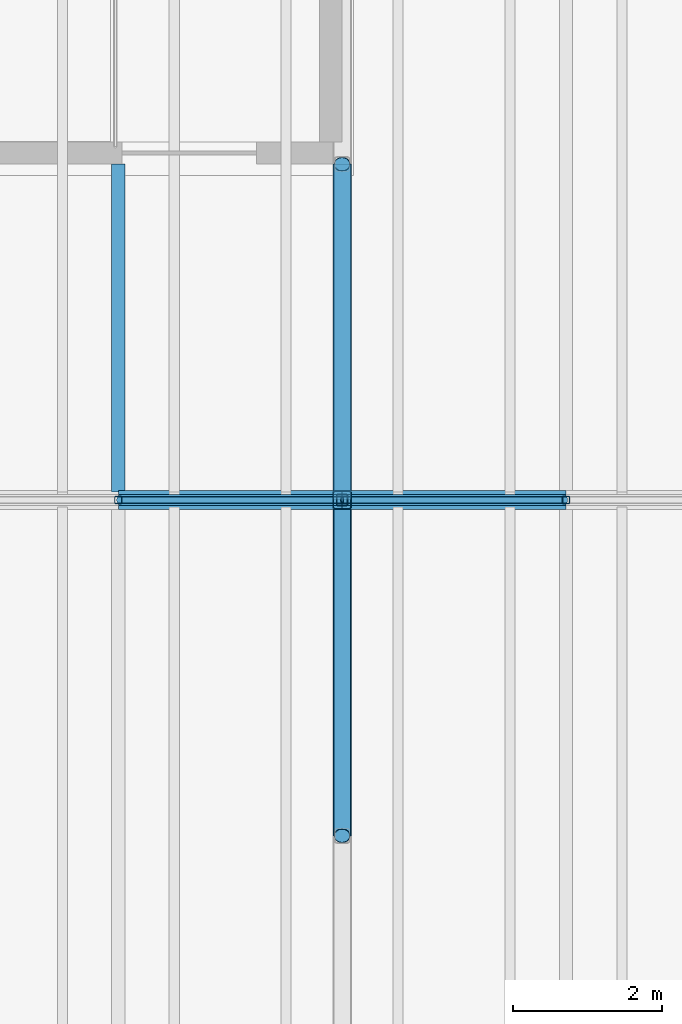
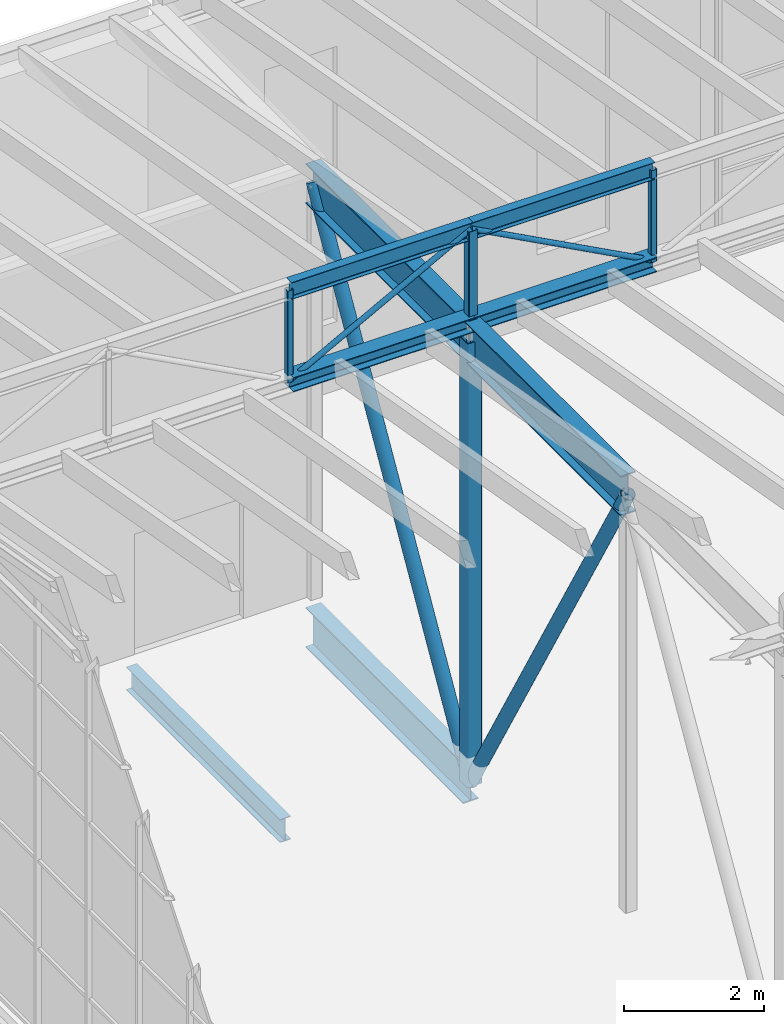
# One storey, part 41 of 90: 15 members, 1 beam.
"""IFC4 building model written with IfcOpenShell, lengths in metres."""

from ifc_helpers import new_model, si_unit, direction, frame, origin, origin_2d, place, context, subcontext, project, spatial, hollow_rectangle, hollow_circle, i_section, extrude, material, material_profile, profile_set, type_object, element, save


model = new_model("IFC4")

# Units and contexts
model_context = context("Model", 3, precision=1e-05, world=origin(), true_north=direction((0.0, 1.0)))
body_context = subcontext(model_context, "Body", "Model", "MODEL_VIEW")
ifc_project = project(units=[si_unit("LENGTHUNIT", "METRE"), si_unit("AREAUNIT", "SQUARE_METRE"), si_unit("VOLUMEUNIT", "CUBIC_METRE"), si_unit("PLANEANGLEUNIT", "RADIAN"), si_unit("MASSUNIT", "GRAM", prefix="KILO")], contexts=[model_context])

# Site, building, storey
site_placement = place(None, origin())
site = spatial("IfcSite", under=ifc_project, at=site_placement, CompositionType="ELEMENT")
building_placement = place(site_placement, origin())
building = spatial("IfcBuilding", under=site, at=building_placement, Name="Halyard Row Museum", CompositionType="ELEMENT")
storey_placement = place(building_placement, frame((0.0, 0.0, 13.39990234375)))
storey = spatial("IfcBuildingStorey", under=building, at=storey_placement, Name="L03", CompositionType="ELEMENT", Elevation=13.39990234375)

# Beam
ifc_material_1 = material(Name="Steel Grade 300", Category="steel")
ifc_material_profile_1 = material_profile(ifc_material_1, i_section(OverallWidth=0.177978515625, OverallDepth=0.406494140625, WebThickness=0.0078125, FlangeThickness=0.0126953125, FilletRadius=0.011474609375, at=origin_2d()), Name="410UB59.7")
ifc_profile_set_1 = profile_set([ifc_material_profile_1], Name="Steel Grade 300")
beam_type = type_object("IfcBeamType", Name="Secondary beam 410UB59.7", PredefinedType="BEAM", material=ifc_profile_set_1)
beam_placement = place(storey_placement, frame((33.0, 36.1044921875, -0.3681640625), z_axis=(0.0, 1.0, 0.0), x_axis=(-1.0, 0.0, 0.0)))
element("IfcBeam", 1, at=beam_placement, inside=storey, type_object=beam_type, Name="Beam L03-124", PredefinedType="BEAM", context=body_context, shape_type="SweptSolid", body=[
    extrude(i_section(OverallWidth=0.177978515625, OverallDepth=0.406494140625, WebThickness=0.0078125, FlangeThickness=0.0126953125, FilletRadius=0.011474609375, at=origin_2d()), origin(), (0.0, 0.0, 1.0), 4.3955078125),
])

# Members
ifc_material_2 = material(Name="Steel Grade 300", Category="steel")
ifc_material_profile_2 = material_profile(ifc_material_2, i_section(OverallWidth=0.25, OverallDepth=0.699951171875, WebThickness=0.010009765625, FlangeThickness=0.02001953125, at=origin_2d()), Name="700WB130")
ifc_profile_set_2 = profile_set([ifc_material_profile_2], Name="Steel Grade 300")
member_type_1 = type_object("IfcMemberType", Name="Transfer truss chord 700WB130 bottom", PredefinedType="CHORD", material=ifc_profile_set_2)
member_1_placement = place(storey_placement, frame((36.0, 36.0, -0.514892578125), z_axis=(0.0, 1.0, 0.0), x_axis=(-1.0, 0.0, 0.0)))
element("IfcMember", 2, at=member_1_placement, inside=storey, type_object=member_type_1, Name="TT1 bottom chord 9", PredefinedType="CHORD", context=body_context, shape_type="SweptSolid", body=[
    extrude(i_section(OverallWidth=0.25, OverallDepth=0.699951171875, WebThickness=0.010009765625, FlangeThickness=0.02001953125, at=origin_2d()), origin(), (0.0, 0.0, 1.0), 4.5),
])
ifc_material_3 = material(Name="Steel Grade 300", Category="steel")
ifc_material_profile_3 = material_profile(ifc_material_3, i_section(OverallWidth=0.25, OverallDepth=0.699951171875, WebThickness=0.010009765625, FlangeThickness=0.02001953125, at=origin_2d()), Name="700WB130")
ifc_profile_set_3 = profile_set([ifc_material_profile_3], Name="Steel Grade 300")
member_type_2 = type_object("IfcMemberType", Name="Transfer truss chord 700WB130 top", PredefinedType="CHORD", material=ifc_profile_set_3)
for number, where, z_axis, x_axis, name in (
    (3, (36.0, 31.5, 7.22998046875), (0.0, 1.0, 0.0), (-1.0, 0.0, 0.0), "TT1 top chord 8"),
    (4, (36.0, 36.0, 7.22998046875), (0.0, 1.0, 0.0), (-1.0, 0.0, 0.0), "TT1 top chord 9"),
):
    element("IfcMember", number, at=place(storey_placement, frame(where, z_axis=z_axis, x_axis=x_axis)), inside=storey, type_object=member_type_2, Name=name, PredefinedType="CHORD", context=body_context, shape_type="SweptSolid", body=[
        extrude(i_section(OverallWidth=0.25, OverallDepth=0.699951171875, WebThickness=0.010009765625, FlangeThickness=0.02001953125, at=origin_2d()), origin(), (0.0, 0.0, 1.0), 4.5),
    ])
ifc_material_4 = material(Name="Steel Grade C350L0", Category="steel")
ifc_material_profile_4 = material_profile(ifc_material_4, hollow_circle(Radius=0.109619140625, WallThickness=0.00830078125, at=origin_2d()), Name="219.1x8.2CHS")
ifc_profile_set_4 = profile_set([ifc_material_profile_4], Name="Steel Grade C350L0")
member_type_3 = type_object("IfcMemberType", Name="Transfer truss diagonal 219.1x8.2CHS", PredefinedType="BRACE", material=ifc_profile_set_4)
for number, where, z_axis, x_axis, name in (
    (5, (36.0, 31.5, 7.22998046875), (0.0, 0.502384046634, -0.864644591545), (-1.0, 0.0, 0.0), "TT1 diagonal 8"),
    (6, (36.0, 36.0, -0.514892578125), (0.0, 0.502384046634, 0.864644591545), (-1.0, 0.0, 0.0), "TT1 diagonal 9"),
):
    element("IfcMember", number, at=place(storey_placement, frame(where, z_axis=z_axis, x_axis=x_axis)), inside=storey, type_object=member_type_3, Name=name, PredefinedType="BRACE", context=body_context, shape_type="SweptSolid", body=[
        extrude(hollow_circle(Radius=0.109619140625, WallThickness=0.00830078125, at=origin_2d()), origin(), (0.0, 0.0, 1.0), 8.957275390625),
    ])
ifc_material_5 = material(Name="Steel Grade C350L0", Category="steel")
ifc_material_profile_5 = material_profile(ifc_material_5, hollow_rectangle(XDim=0.25, YDim=0.25, WallThickness=0.012451171875, InnerFilletRadius=0.018798828125, OuterFilletRadius=0.03125, at=origin_2d()), Name="250x250x12.5SHS")
ifc_profile_set_5 = profile_set([ifc_material_profile_5], Name="Steel Grade C350L0")
member_type_4 = type_object("IfcMemberType", Name="Transfer truss post 250x250x12.5SHS", PredefinedType="POST", material=ifc_profile_set_5)
member_2_placement = place(storey_placement, frame((36.0, 36.0, -0.514892578125), z_axis=(0.0, 0.0, 1.0), x_axis=(1.0, 0.0, 0.0)))
element("IfcMember", 7, at=member_2_placement, inside=storey, type_object=member_type_4, Name="TT1 post 9", PredefinedType="POST", context=body_context, shape_type="SweptSolid", body=[
    extrude(hollow_rectangle(XDim=0.25, YDim=0.25, WallThickness=0.012451171875, InnerFilletRadius=0.018798828125, OuterFilletRadius=0.03125, at=origin_2d()), origin(), (0.0, 0.0, 1.0), 7.744873046875),
])
ifc_material_6 = material(Name="Steel Grade 300", Category="steel")
ifc_material_profile_6 = material_profile(ifc_material_6, i_section(OverallWidth=0.25390625, OverallDepth=0.25390625, WebThickness=0.008544921875, FlangeThickness=0.01416015625, FilletRadius=0.013916015625, at=origin_2d()), Name="250UC72.9")
ifc_profile_set_6 = profile_set([ifc_material_profile_6], Name="Steel Grade 300")
member_type_5 = type_object("IfcMemberType", Name="Valley truss bottom chord 250UC72.9", PredefinedType="CHORD", material=ifc_profile_set_6)
for number, where, z_axis, x_axis, name in (
    (8, (33.0, 36.0, 7.527099609375), (1.0, 0.0, 0.0), (0.0, 1.0, 0.0), "V1-VT3 bottom chord 1.3"),
    (9, (36.0, 36.0, 7.527099609375), (1.0, 0.0, 0.0), (0.0, 1.0, 0.0), "V1-VT3 bottom chord 2.1"),
):
    element("IfcMember", number, at=place(storey_placement, frame(where, z_axis=z_axis, x_axis=x_axis)), inside=storey, type_object=member_type_5, Name=name, PredefinedType="CHORD", context=body_context, shape_type="SweptSolid", body=[
        extrude(i_section(OverallWidth=0.25390625, OverallDepth=0.25390625, WebThickness=0.008544921875, FlangeThickness=0.01416015625, FilletRadius=0.013916015625, at=origin_2d()), origin(), (0.0, 0.0, 1.0), 3.0),
    ])
ifc_material_7 = material(Name="Steel Grade C250L0", Category="steel")
ifc_material_profile_7 = material_profile(ifc_material_7, hollow_circle(Radius=0.04443359375, WallThickness=0.0048828125, at=origin_2d()), Name="88.9x5.0CHS")
ifc_profile_set_7 = profile_set([ifc_material_profile_7], Name="Steel Grade C250L0")
member_type_6 = type_object("IfcMemberType", Name="Valley truss diagonal 88.9x5.0CHS", PredefinedType="BRACE", material=ifc_profile_set_7)
for number, where, z_axis, x_axis, name in (
    (10, (33.0, 36.0, 7.527099609375), (0.881863759518, 0.0, 0.471504305016), (0.0, 1.0, 0.0), "V1-VT3 diagonal 1.3"),
    (11, (36.0, 36.0, 9.131103515625), (0.881863759518, 0.0, -0.471504305016), (0.0, 1.0, 0.0), "V1-VT3 diagonal 2.1"),
):
    element("IfcMember", number, at=place(storey_placement, frame(where, z_axis=z_axis, x_axis=x_axis)), inside=storey, type_object=member_type_6, Name=name, PredefinedType="BRACE", context=body_context, shape_type="SweptSolid", body=[
        extrude(hollow_circle(Radius=0.04443359375, WallThickness=0.0048828125, at=origin_2d()), origin(), (0.0, 0.0, 1.0), 3.40185546875),
    ])
ifc_material_8 = material(Name="Steel Grade C350L0", Category="steel")
ifc_material_profile_8 = material_profile(ifc_material_8, hollow_rectangle(XDim=0.10009765625, YDim=0.10009765625, WallThickness=0.006103515625, InnerFilletRadius=0.009033203125, OuterFilletRadius=0.014892578125, at=origin_2d()), Name="100x100x6.0SHS")
ifc_profile_set_8 = profile_set([ifc_material_profile_8], Name="Steel Grade C350L0")
member_type_7 = type_object("IfcMemberType", Name="Valley truss post 100x100x6.0SHS", PredefinedType="POST", material=ifc_profile_set_8)
for number, where, z_axis, x_axis, name in (
    (12, (33.0, 36.0, 7.527099609375), (0.0, 0.0, 1.0), (1.0, 0.0, 0.0), "V1-VT3 post 1.2"),
    (13, (39.0, 36.0, 7.527099609375), (0.0, 0.0, 1.0), (1.0, 0.0, 0.0), "V1-VT3 post 2.1"),
):
    element("IfcMember", number, at=place(storey_placement, frame(where, z_axis=z_axis, x_axis=x_axis)), inside=storey, type_object=member_type_7, Name=name, PredefinedType="POST", context=body_context, shape_type="SweptSolid", body=[
        extrude(hollow_rectangle(XDim=0.10009765625, YDim=0.10009765625, WallThickness=0.006103515625, InnerFilletRadius=0.009033203125, OuterFilletRadius=0.014892578125, at=origin_2d()), origin(), (0.0, 0.0, 1.0), 1.60400390625),
    ])
ifc_material_9 = material(Name="Steel Grade C350L0", Category="steel")
ifc_material_profile_9 = material_profile(ifc_material_9, hollow_rectangle(XDim=0.14990234375, YDim=0.14990234375, WallThickness=0.006103515625, InnerFilletRadius=0.009033203125, OuterFilletRadius=0.014892578125, at=origin_2d()), Name="150x150x6.0SHS")
ifc_profile_set_9 = profile_set([ifc_material_profile_9], Name="Steel Grade C350L0")
member_type_8 = type_object("IfcMemberType", Name="Valley truss post 150x150x6.0SHS", PredefinedType="POST", material=ifc_profile_set_9)
member_3_placement = place(storey_placement, frame((36.0, 36.0, 7.527099609375), z_axis=(0.0, 0.0, 1.0), x_axis=(1.0, 0.0, 0.0)))
element("IfcMember", 14, at=member_3_placement, inside=storey, type_object=member_type_8, Name="V1-VT3 post 1.3", PredefinedType="POST", context=body_context, shape_type="SweptSolid", body=[
    extrude(hollow_rectangle(XDim=0.14990234375, YDim=0.14990234375, WallThickness=0.006103515625, InnerFilletRadius=0.009033203125, OuterFilletRadius=0.014892578125, at=origin_2d()), origin(), (0.0, 0.0, 1.0), 1.60400390625),
])
ifc_material_10 = material(Name="Steel Grade 300", Category="steel")
ifc_material_profile_10 = material_profile(ifc_material_10, i_section(OverallWidth=0.14892578125, OverallDepth=0.298095703125, WebThickness=0.005615234375, FlangeThickness=0.008056640625, FilletRadius=0.012939453125, at=origin_2d()), Name="310UB32.0")
ifc_profile_set_10 = profile_set([ifc_material_profile_10], Name="Steel Grade 300")
member_type_9 = type_object("IfcMemberType", Name="Valley truss top chord 310UB32.0", PredefinedType="CHORD", material=ifc_profile_set_10)
for number, where, z_axis, x_axis, name in (
    (15, (33.0, 36.0, 9.131103515625), (1.0, 0.0, 0.0), (0.0, 1.0, 0.0), "V1-VT3 top chord 1.3"),
    (16, (36.0, 36.0, 9.131103515625), (1.0, 0.0, 0.0), (0.0, 1.0, 0.0), "V1-VT3 top chord 2.1"),
):
    element("IfcMember", number, at=place(storey_placement, frame(where, z_axis=z_axis, x_axis=x_axis)), inside=storey, type_object=member_type_9, Name=name, PredefinedType="CHORD", context=body_context, shape_type="SweptSolid", body=[
        extrude(i_section(OverallWidth=0.14892578125, OverallDepth=0.298095703125, WebThickness=0.005615234375, FlangeThickness=0.008056640625, FilletRadius=0.012939453125, at=origin_2d()), origin(), (0.0, 0.0, 1.0), 3.0),
    ])

save(model, "model.ifc")
